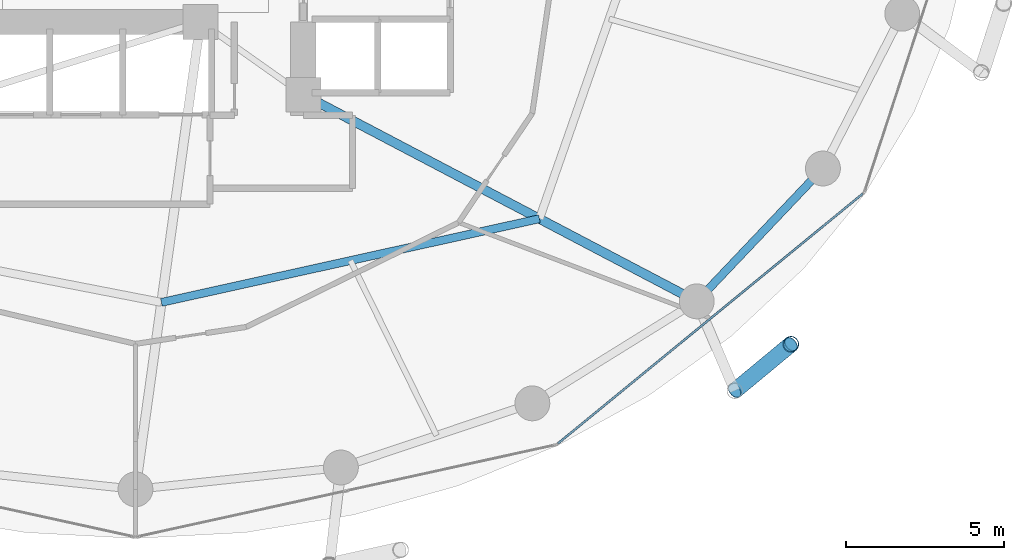
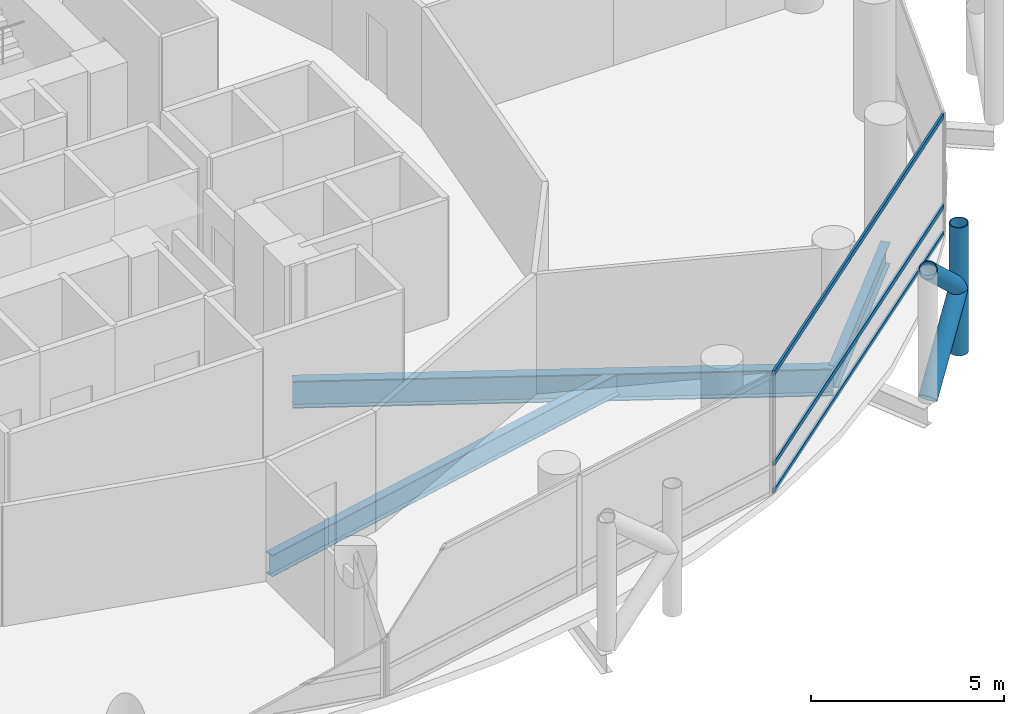
# One storey, part 9 of 25: 6 members, 3 beams, 1 element without a shape of its own.
"""IFC4 building model written with IfcOpenShell, lengths in metres."""

from ifc_helpers import new_model, si_unit, direction, frame, origin, origin_2d, place, context, subcontext, project, spatial, hollow_rectangle, hollow_circle, i_section, extrude, material, layer, layer_set, material_profile, profile_set, type_object, element, aggregate, save


model = new_model("IFC4")

# Units and contexts
model_context = context("Model", 3, precision=1e-05, world=origin(), true_north=direction((0.0, 1.0)))
body_context = subcontext(model_context, "Body", "Model", "MODEL_VIEW")
ifc_project = project(units=[si_unit("LENGTHUNIT", "METRE"), si_unit("AREAUNIT", "SQUARE_METRE"), si_unit("VOLUMEUNIT", "CUBIC_METRE"), si_unit("PLANEANGLEUNIT", "RADIAN"), si_unit("MASSUNIT", "GRAM", prefix="KILO")], contexts=[model_context])

# Site, building, storey
site_placement = place(None, origin())
site = spatial("IfcSite", under=ifc_project, at=site_placement, CompositionType="ELEMENT")
building_placement = place(site_placement, origin())
building = spatial("IfcBuilding", under=site, at=building_placement, Name="Nuhasar Tower", CompositionType="ELEMENT")
storey_placement = place(building_placement, frame((0.0, 0.0, 45.300048828125)))
storey = spatial("IfcBuildingStorey", under=building, at=storey_placement, Name="L10", CompositionType="ELEMENT", Elevation=45.300048828125)

# Beams
ifc_material_1 = material(Name="Steel S355", Category="steel")
ifc_material_profile_1 = material_profile(ifc_material_1, i_section(OverallWidth=0.25390625, OverallDepth=0.68408203125, WebThickness=0.012451171875, FlangeThickness=0.018798828125, at=origin_2d()), Name="W27X94")
ifc_profile_set_1 = profile_set([ifc_material_profile_1], Name="Steel S355")
beam_type_1 = type_object("IfcBeamType", Name="BM-INRING-W27X94", PredefinedType="BEAM", material=ifc_profile_set_1)
beam_1_placement = place(storey_placement, frame((39.820068359375, 12.449951171875, -0.60205078125), z_axis=(0.976386023343, 0.216033176665, 0.0), x_axis=(-0.216033176665, 0.976386023343, 0.0)))
element("IfcBeam", 1, at=beam_1_placement, inside=storey, type_object=beam_type_1, Name="L10 Inner Header Beam 02", PredefinedType="BEAM", context=body_context, shape_type="SweptSolid", body=[
    extrude(i_section(OverallWidth=0.25390625, OverallDepth=0.68408203125, WebThickness=0.012451171875, FlangeThickness=0.018798828125, at=origin_2d()), origin(), (0.0, 0.0, 1.0), 12.216552734375),
])
ifc_material_profile_2 = material_profile(ifc_material_1, i_section(OverallWidth=0.2919921875, OverallDepth=0.85888671875, WebThickness=0.01708984375, FlangeThickness=0.031005859375, at=origin_2d()), Name="W33X169")
ifc_profile_set_2 = profile_set([ifc_material_profile_2], Name="Steel S355")
beam_type_2 = type_object("IfcBeamType", Name="BM-POD-W33X169", PredefinedType="BEAM", material=ifc_profile_set_2)
beam_2_placement = place(storey_placement, frame((44.300048828125, 19.0, -0.68896484375), z_axis=(0.885330348705, -0.464962550816, 0.0), x_axis=(0.464962550816, 0.885330348705, 0.0)))
element("IfcBeam", 2, at=beam_2_placement, inside=storey, type_object=beam_type_2, Name="L10 Radial Floor Girder 03", PredefinedType="BEAM", context=body_context, shape_type="SweptSolid", body=[
    extrude(i_section(OverallWidth=0.2919921875, OverallDepth=0.85888671875, WebThickness=0.01708984375, FlangeThickness=0.031005859375, at=origin_2d()), origin(), (0.0, 0.0, 1.0), 14.0205078125),
])
ifc_material_profile_3 = material_profile(ifc_material_1, i_section(OverallWidth=0.256103515625, OverallDepth=0.693115234375, WebThickness=0.014404296875, FlangeThickness=0.023681640625, at=origin_2d()), Name="W27X114")
ifc_profile_set_3 = profile_set([ifc_material_profile_3], Name="Steel S355")
beam_type_3 = type_object("IfcBeamType", Name="BM-RING-W27X114", PredefinedType="SPANDREL", material=ifc_profile_set_3)
beam_3_placement = place(storey_placement, frame((56.712890625, 12.48095703125, -0.60595703125), z_axis=(0.688459812429, 0.725274490569, 0.0), x_axis=(-0.725274490569, 0.688459812429, 0.0)))
element("IfcBeam", 3, at=beam_3_placement, inside=storey, type_object=beam_type_3, Name="L10 Perimeter Ring Spandrel 22", PredefinedType="SPANDREL", context=body_context, shape_type="SweptSolid", body=[
    extrude(i_section(OverallWidth=0.256103515625, OverallDepth=0.693115234375, WebThickness=0.014404296875, FlangeThickness=0.023681640625, at=origin_2d()), origin(), (0.0, 0.0, 1.0), 5.78271484375),
])

# Curtain wall, members
ifc_material_2 = material(Name="Aluminium 6063-T6", Category="aluminium")
ifc_layer = layer(ifc_material_2, 0.199951171875)
ifc_layer_set = layer_set([ifc_layer], Name="Aluminium 6063-T6")
curtain_wall_type = type_object("IfcCurtainWallType", Name="CW-Z1-OFF", PredefinedType="NOTDEFINED", material=ifc_layer_set)
curtain_wall_placement = place(storey_placement, origin())
curtain_wall = element("IfcCurtainWall", 4, at=curtain_wall_placement, inside=storey, type_object=curtain_wall_type, Name="L10 Unitised Curtain Wall 11", PredefinedType="NOTDEFINED")
ifc_material_profile_4 = material_profile(ifc_material_2, hollow_rectangle(XDim=0.06494140625, YDim=0.14990234375, WallThickness=0.00439453125, at=origin_2d()), Name="CWT-2")
ifc_profile_set_4 = profile_set([ifc_material_profile_4], Name="Aluminium 6063-T6")
member_type_1 = type_object("IfcMemberType", Name="CW-TRN-S2", PredefinedType="USERDEFINED", material=ifc_profile_set_4)
member_1_placement = place(storey_placement, frame((52.330322265625, 7.99609375, 0.032470703125), z_axis=(0.773531229158, 0.633758185365, 0.0), x_axis=(-0.633758185365, 0.773531229158, 0.0)))
member_1 = element("IfcMember", 5, at=member_1_placement, type_object=member_type_1, Name="CW-Z1 transom 1.1", ObjectType="TRANSOM", PredefinedType="USERDEFINED", context=body_context, shape_type="SweptSolid", body=[
    extrude(hollow_rectangle(XDim=0.06494140625, YDim=0.14990234375, WallThickness=0.00439453125, at=origin_2d()), origin(), (0.0, 0.0, 1.0), 12.438232421875),
])
member_2_placement = place(storey_placement, frame((52.330322265625, 7.99609375, 0.89990234375), z_axis=(0.773531229158, 0.633758185365, 0.0), x_axis=(-0.633758185365, 0.773531229158, 0.0)))
member_2 = element("IfcMember", 6, at=member_2_placement, type_object=member_type_1, Name="CW-Z1 transom 1.2", ObjectType="TRANSOM", PredefinedType="USERDEFINED", context=body_context, shape_type="SweptSolid", body=[
    extrude(hollow_rectangle(XDim=0.06494140625, YDim=0.14990234375, WallThickness=0.00439453125, at=origin_2d()), origin(), (0.0, 0.0, 1.0), 12.438232421875),
])
member_3_placement = place(storey_placement, frame((52.330322265625, 7.99609375, 3.757568359375), z_axis=(0.773531229158, 0.633758185365, 0.0), x_axis=(-0.633758185365, 0.773531229158, 0.0)))
member_3 = element("IfcMember", 7, at=member_3_placement, type_object=member_type_1, Name="CW-Z1 transom 1.3", ObjectType="TRANSOM", PredefinedType="USERDEFINED", context=body_context, shape_type="SweptSolid", body=[
    extrude(hollow_rectangle(XDim=0.06494140625, YDim=0.14990234375, WallThickness=0.00439453125, at=origin_2d()), origin(), (0.0, 0.0, 1.0), 12.438232421875),
])
aggregate(curtain_wall, [member_1, member_2, member_3])

# Members
ifc_material_3 = material(Name="Steel S460", Category="steel")
ifc_material_profile_5 = material_profile(ifc_material_3, hollow_circle(Radius=0.25390625, WallThickness=0.025390625, at=origin_2d()), Name="HSS508X25.4")
ifc_profile_set_5 = profile_set([ifc_material_profile_5], Name="Steel S460")
member_type_2 = type_object("IfcMemberType", Name="EXO-BRONZE-508", PredefinedType="BRACE", material=ifc_profile_set_5)
member_4_placement = place(storey_placement, frame((59.68505859375, 11.12890625, 0.0), z_axis=(0.0, 0.0, 1.0), x_axis=(1.0, 0.0, 0.0)))
element("IfcMember", 8, at=member_4_placement, inside=storey, type_object=member_type_2, Name="L10 Exoskeleton Chord Column EC-11B", PredefinedType="BRACE", context=body_context, shape_type="SweptSolid", body=[
    extrude(hollow_circle(Radius=0.25390625, WallThickness=0.025390625, at=origin_2d()), origin(), (0.0, 0.0, 1.0), 4.050048828125),
])
member_5_placement = place(storey_placement, frame((57.9130859375, 9.660888671875, 0.0), z_axis=(0.578101613167, 0.478937034992, 0.660619286251), x_axis=(-0.637969333506, 0.770061769929, 0.0)))
element("IfcMember", 9, at=member_5_placement, inside=storey, type_object=member_type_2, Name="L10 Bronze Diagrid Brace W1-11", PredefinedType="BRACE", context=body_context, shape_type="SweptSolid", body=[
    extrude(hollow_circle(Radius=0.25390625, WallThickness=0.025390625, at=origin_2d()), origin(), (0.0, 0.0, 1.0), 3.065185546875),
])
member_6_placement = place(storey_placement, frame((59.68505859375, 11.12890625, 2.02490234375), z_axis=(-0.578071194894, -0.478911834514, 0.660664172175), x_axis=(0.637969333506, -0.770061769929, 0.0)))
element("IfcMember", 10, at=member_6_placement, inside=storey, type_object=member_type_2, Name="L10 Bronze Diagrid Brace W2-11", PredefinedType="BRACE", context=body_context, shape_type="SweptSolid", body=[
    extrude(hollow_circle(Radius=0.25390625, WallThickness=0.025390625, at=origin_2d()), origin(), (0.0, 0.0, 1.0), 3.0654296875),
])

save(model, "model.ifc")
